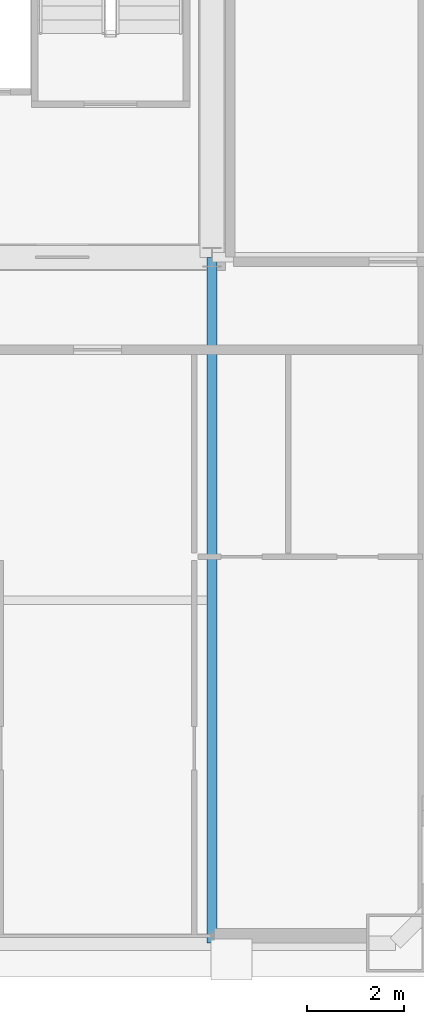
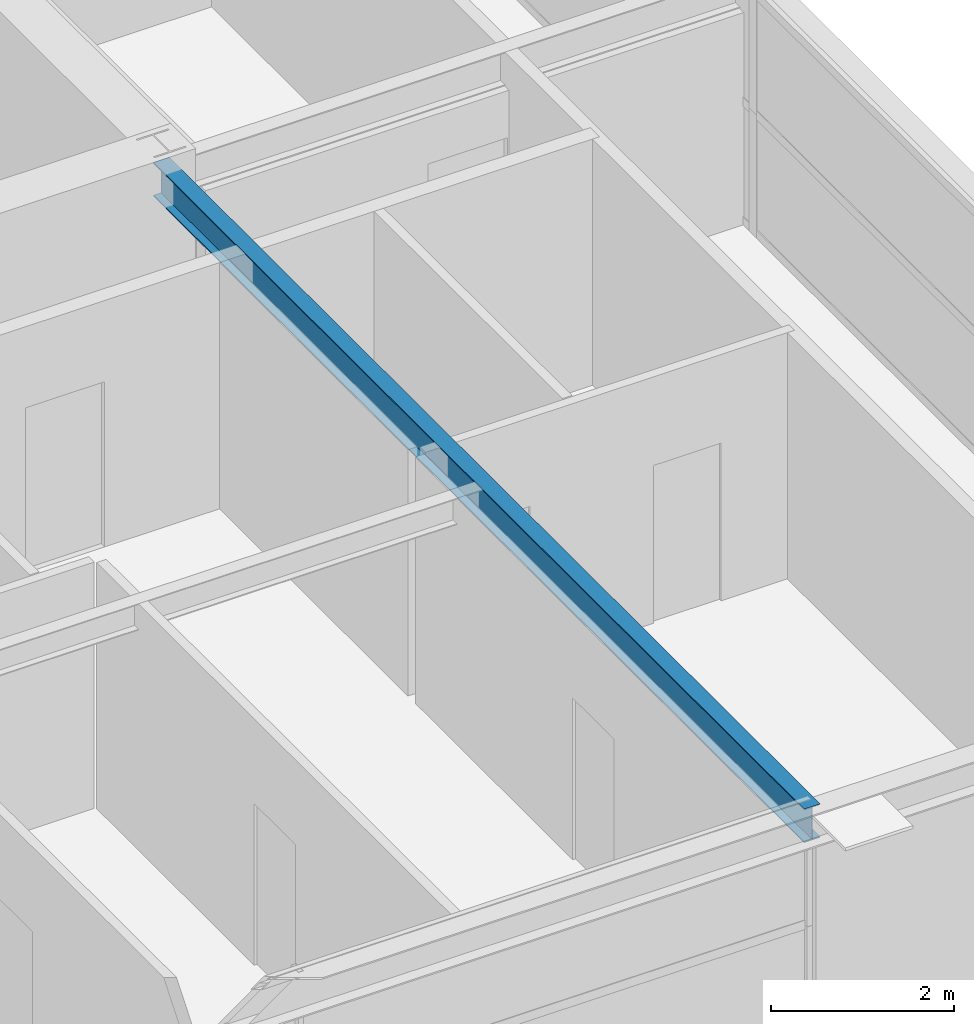
# One storey, part 16 of 36: 1 beam.
"""IFC4 building model written with IfcOpenShell, lengths in metres."""

import ifcopenshell
import ifcopenshell.guid

model = None  # the IFC model being written
_history = None  # IfcOwnerHistory: only IFC2X3 demands one
_inside = {}  # id of a spatial element -> (the spatial element, [elements in it])
_under = {}  # id of a project, library or spatial element -> (it, [spatial elements below it])
_declared = {}  # id of a project -> (the project, [libraries it declares])
_typed = {}  # id of a type object -> (the type object, [elements of that type])
_made_of = {}  # id of a material, layer set ... -> (it, [elements and type objects made of it])


def new_model(schema):
    """Start an empty IFC model of exactly this schema.

    Asked for "IFC4X3", IfcOpenShell would pick the latest addendum, in which some entities
    have other attributes; the version numbers below select the first issue.
    IFC2X3 requires an IfcOwnerHistory on every rooted entity: one is made here for all.
    """
    global model, _history
    if schema == "IFC4X3":
        model = ifcopenshell.file(schema_version=(4, 3, 0, 0))
    else:
        model = ifcopenshell.file(schema=schema)
    _inside.clear()
    _under.clear()
    _declared.clear()
    _typed.clear()
    _made_of.clear()
    _history = None
    if model.schema == "IFC2X3":
        org = make("IfcOrganization", Name="unknown")
        user = make(
            "IfcPersonAndOrganization",
            ThePerson=make("IfcPerson", FamilyName="unknown"),
            TheOrganization=org,
        )
        app = make(
            "IfcApplication",
            ApplicationDeveloper=org,
            Version="unknown",
            ApplicationFullName="unknown",
            ApplicationIdentifier="unknown",
        )
        _history = make(
            "IfcOwnerHistory",
            OwningUser=user,
            OwningApplication=app,
            ChangeAction="ADDED",
            CreationDate=0,
        )
    return model


def make(cls, **values):
    """One entity of the class cls with the attributes given. An attribute that is None is left unset."""
    return model.create_entity(
        cls, **{name: value for name, value in values.items() if value is not None}
    )


def rooted(cls, **values):
    """An entity with a GlobalId (a new one), such as an element, a storey or a relation."""
    return make(cls, GlobalId=ifcopenshell.guid.new(), OwnerHistory=_history, **values)


def si_unit(unit_type, name, prefix=None):
    """IfcSIUnit, for example si_unit("LENGTHUNIT", "METRE", prefix="MILLI")."""
    return make("IfcSIUnit", UnitType=unit_type, Prefix=prefix, Name=name)


def assignment(units):
    """IfcUnitAssignment: the units of a project."""
    return None if units is None else make("IfcUnitAssignment", Units=units)


def point(xyz):
    """IfcCartesianPoint."""
    return None if xyz is None else make("IfcCartesianPoint", Coordinates=xyz)


def direction(xyz):
    """IfcDirection."""
    return None if xyz is None else make("IfcDirection", DirectionRatios=xyz)


def frame(location, z_axis=None, x_axis=None):
    """IfcAxis2Placement3D, a coordinate frame: its origin and axes. An axis left out is left unset."""
    return make(
        "IfcAxis2Placement3D",
        Location=point(location),
        Axis=direction(z_axis),
        RefDirection=direction(x_axis),
    )


def frame_2d(location, x_axis=None):
    """IfcAxis2Placement2D, a coordinate frame in the plane: its origin and x axis."""
    return make(
        "IfcAxis2Placement2D", Location=point(location), RefDirection=direction(x_axis)
    )


def origin():
    """The frame at (0, 0, 0) with its axes left unset."""
    return frame((0.0, 0.0, 0.0))


def origin_2d():
    """The frame at (0, 0) in the plane with its x axis left unset."""
    return frame_2d((0.0, 0.0))


def place(relative_to, where):
    """IfcLocalPlacement: puts the frame where relative to a parent placement (None: the world)."""
    return make(
        "IfcLocalPlacement", PlacementRelTo=relative_to, RelativePlacement=where
    )


def context(
    kind, dimensions, precision=None, world=None, true_north=None, identifier=None
):
    """IfcGeometricRepresentationContext, for example the 3D "Model" context."""
    return make(
        "IfcGeometricRepresentationContext",
        ContextIdentifier=identifier,
        ContextType=kind,
        CoordinateSpaceDimension=dimensions,
        Precision=precision,
        WorldCoordinateSystem=world,
        TrueNorth=true_north,
    )


def subcontext(parent, identifier, kind, view, scale=None):
    """IfcGeometricRepresentationSubContext, for example "Body" below "Model"."""
    return make(
        "IfcGeometricRepresentationSubContext",
        ContextIdentifier=identifier,
        ContextType=kind,
        ParentContext=parent,
        TargetScale=scale,
        TargetView=view,
    )


def project(units=None, contexts=None):
    """IfcProject with its units and contexts."""
    return rooted(
        "IfcProject",
        Name="project",
        RepresentationContexts=contexts,
        UnitsInContext=assignment(units),
    )


def spatial(cls, under=None, at=None, **own):
    """A site, building, storey or space (cls), placed at a placement, below another one or the project."""
    s = rooted(cls, ObjectPlacement=at, **own)
    if under is not None:
        _under.setdefault(under.id(), (under, []))[1].append(s)
    return s


def profile(cls, at=None, kind="AREA", **sizes):
    """A parametric profile (cls). Its sizes go by their IFC names, for example OverallWidth=200.0."""
    return make(cls, ProfileType=kind, Position=at, **sizes)


def i_section(**sizes):
    """IfcIShapeProfileDef."""
    return profile("IfcIShapeProfileDef", **sizes)


def extrude(swept, where, along, depth):
    """IfcExtrudedAreaSolid: the profile swept, set in the frame where, extruded along a direction by depth."""
    return make(
        "IfcExtrudedAreaSolid",
        SweptArea=swept,
        Position=where,
        ExtrudedDirection=direction(along),
        Depth=depth,
    )


def shape(context_of_items, identifier, shape_type, items):
    """IfcShapeRepresentation: the items that make up one representation, for example the "Body"."""
    return make(
        "IfcShapeRepresentation",
        ContextOfItems=context_of_items,
        RepresentationIdentifier=identifier,
        RepresentationType=shape_type,
        Items=items,
    )


def source(mapping_origin, context_of_items, identifier, shape_type, items):
    """IfcRepresentationMap: a shape defined once, which mapped items show again and again."""
    return make(
        "IfcRepresentationMap",
        MappingOrigin=mapping_origin,
        MappedRepresentation=shape(context_of_items, identifier, shape_type, items),
    )


def transform(
    local_origin,
    x_axis=None,
    y_axis=None,
    z_axis=None,
    scale=None,
    scale2=None,
    scale3=None,
    uniform=True,
):
    """IfcCartesianTransformationOperator3D, or its non-uniform kind. x_axis, y_axis, z_axis: its Axis1, 2, 3."""
    if uniform:
        return make(
            "IfcCartesianTransformationOperator3D",
            Axis1=direction(x_axis),
            Axis2=direction(y_axis),
            LocalOrigin=point(local_origin),
            Scale=scale,
            Axis3=direction(z_axis),
        )
    return make(
        "IfcCartesianTransformationOperator3DnonUniform",
        Axis1=direction(x_axis),
        Axis2=direction(y_axis),
        LocalOrigin=point(local_origin),
        Scale=scale,
        Axis3=direction(z_axis),
        Scale2=scale2,
        Scale3=scale3,
    )


def mapped(mapping_source, mapping_target):
    """IfcMappedItem: shows the shape of a source again, moved by a transform."""
    return make(
        "IfcMappedItem", MappingSource=mapping_source, MappingTarget=mapping_target
    )


def material(Name=None, Category=None):
    """IfcMaterial."""
    return make("IfcMaterial", Name=Name, Category=Category)


def material_profile(
    of_material, cross_section, Name=None, Category=None, Priority=None
):
    """IfcMaterialProfile: a cross section and its material."""
    return make(
        "IfcMaterialProfile",
        Name=Name,
        Material=of_material,
        Profile=cross_section,
        Priority=Priority,
        Category=Category,
    )


def profile_set(profiles, Name=None, composite=None):
    """IfcMaterialProfileSet."""
    return make(
        "IfcMaterialProfileSet",
        Name=Name,
        MaterialProfiles=profiles,
        CompositeProfile=composite,
    )


def made_of(thing, what):
    """Note that an element or type object is made of a material, layer set ...; save() writes the relation."""
    if what is not None:
        _made_of.setdefault(what.id(), (what, []))[1].append(thing)
    return thing


def type_object(cls, material=None, **own):
    """A type object (cls), such as IfcWallType, which elements share."""
    return made_of(rooted(cls, **own), material)


def element(
    cls,
    number,
    at=None,
    inside=None,
    cuts=None,
    type_object=None,
    material=None,
    context=None,
    identifier="Body",
    shape_type=None,
    held_by="IfcProductDefinitionShape",
    body=None,
    shapes=None,
    **own,
):
    """One element of the class cls, such as IfcWall. Its Tag is "e" and its number.

    at: its placement. inside: the storey or other place that contains it. cuts: it is an
    opening in that element (IfcRelVoidsElement). A single representation is given by context,
    identifier, shape_type and body (its items); several are given by shapes. held_by: the class
    of the entity that holds the representations. save() writes the other relations.
    """
    e = rooted(cls, Tag="e%d" % number, ObjectPlacement=at, **own)
    if body is not None:
        shapes = [shape(context, identifier, shape_type, body)]
    if shapes is not None:
        e.Representation = make(held_by, Representations=shapes)
    if inside is not None:
        _inside.setdefault(inside.id(), (inside, []))[1].append(e)
    if cuts is not None:
        rooted(
            "IfcRelVoidsElement", RelatingBuildingElement=cuts, RelatedOpeningElement=e
        )
    if type_object is not None:
        _typed.setdefault(type_object.id(), (type_object, []))[1].append(e)
    return made_of(e, material)


def aggregate(whole, parts):
    """IfcRelAggregates: a whole, such as a stair, and the parts it consists of."""
    return rooted("IfcRelAggregates", RelatingObject=whole, RelatedObjects=parts)


def save(model, path):
    """Write the relations noted so far, then the file.

    IfcRelAggregates (storeys below a building ...), IfcRelContainedInSpatialStructure (elements
    in a storey), IfcRelDefinesByType, IfcRelAssociatesMaterial and IfcRelDeclares: one each for
    every whole, place, type object, material and project.
    """
    for whole, parts in _under.values():
        aggregate(whole, parts)
    for where, things in _inside.values():
        rooted(
            "IfcRelContainedInSpatialStructure",
            RelatedElements=things,
            RelatingStructure=where,
        )
    for kind, things in _typed.values():
        rooted("IfcRelDefinesByType", RelatedObjects=things, RelatingType=kind)
    for what, things in _made_of.values():
        rooted("IfcRelAssociatesMaterial", RelatedObjects=things, RelatingMaterial=what)
    for by, libraries in _declared.values():
        rooted("IfcRelDeclares", RelatingContext=by, RelatedDefinitions=libraries)
    model.write(path)


model = new_model("IFC4")

# Units and contexts
model_context = context("Model", 3, precision=1e-05, world=origin(), true_north=direction((0.0, 1.0)))
body_context = subcontext(model_context, "Body", "Model", "MODEL_VIEW")
ifc_project = project(units=[si_unit("LENGTHUNIT", "METRE"), si_unit("AREAUNIT", "SQUARE_METRE"), si_unit("VOLUMEUNIT", "CUBIC_METRE"), si_unit("PLANEANGLEUNIT", "RADIAN"), si_unit("MASSUNIT", "GRAM", prefix="KILO"), si_unit("THERMODYNAMICTEMPERATUREUNIT", "KELVIN"), si_unit("POWERUNIT", "WATT")], contexts=[model_context])

# Site, building, storey
site_placement = place(None, origin())
site = spatial("IfcSite", under=ifc_project, at=site_placement, CompositionType="ELEMENT")
building_placement = place(site_placement, origin())
building = spatial("IfcBuilding", under=site, at=building_placement, Name="Yuzanri Waterfront Tower", CompositionType="ELEMENT")
storey_placement = place(building_placement, frame((0.0, 0.0, 231.10009765625)))
storey = spatial("IfcBuildingStorey", under=building, at=storey_placement, Name="L61", CompositionType="ELEMENT", Elevation=231.10009765625)

# Beam
ifc_material = material(Name="Steel Q355B", Category="steel")
ifc_material_profile = material_profile(ifc_material, i_section(OverallWidth=0.199951171875, OverallDepth=0.449951171875, WebThickness=0.009033203125, FlangeThickness=0.013916015625, at=origin_2d()), Name="HN 450x200x9x14")
ifc_profile_set = profile_set([ifc_material_profile], Name="Steel Q355B")
beam_type = type_object("IfcBeamType", Name="Secondary Floor Beam Q355B HN 450x200", PredefinedType="BEAM", material=ifc_profile_set)
shared_shape = source(origin(), body_context, "Body", "SweptSolid", [
    extrude(i_section(OverallWidth=0.199951171875, OverallDepth=0.449951171875, WebThickness=0.009033203125, FlangeThickness=0.013916015625, at=origin_2d()), origin(), (0.0, 0.0, 1.0), 14.199951171875),
])
beam_placement = place(storey_placement, frame((50.199951171875, 19.39990234375, 3.054931640625), z_axis=(0.0, -1.0, 0.0), x_axis=(1.0, 0.0, 0.0)))
element("IfcBeam", 1, at=beam_placement, inside=storey, type_object=beam_type, Name="L61 South-East Core Line Beam", PredefinedType="BEAM", context=body_context, shape_type="MappedRepresentation", body=[
    mapped(shared_shape, transform((0.0, 0.0, 0.0), scale=1.0)),
])

save(model, "model.ifc")
